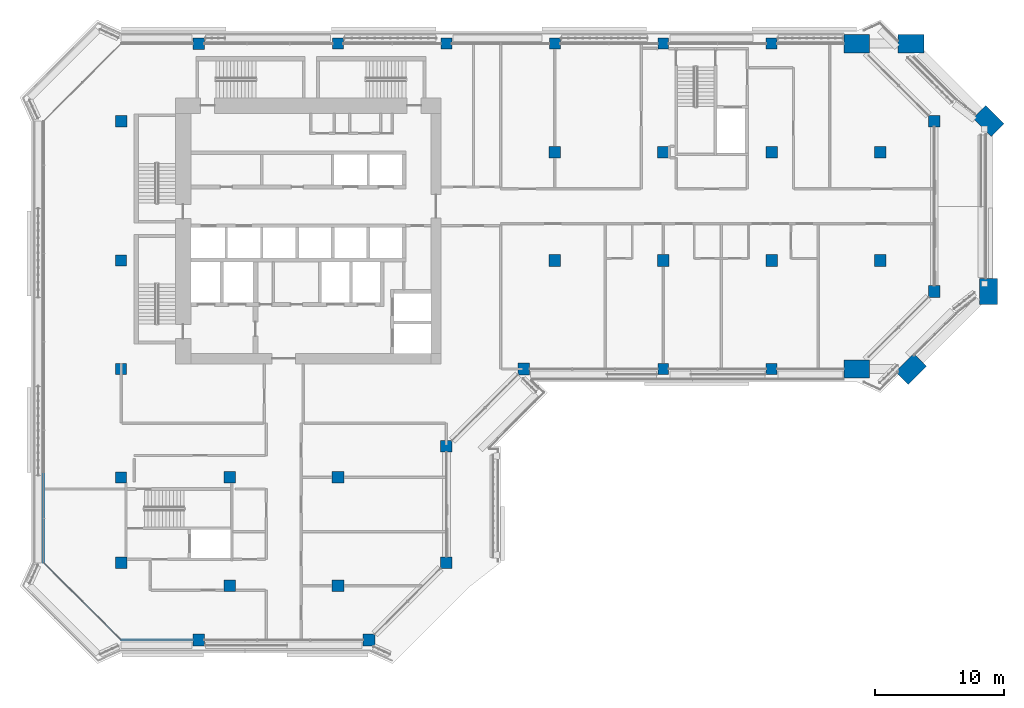
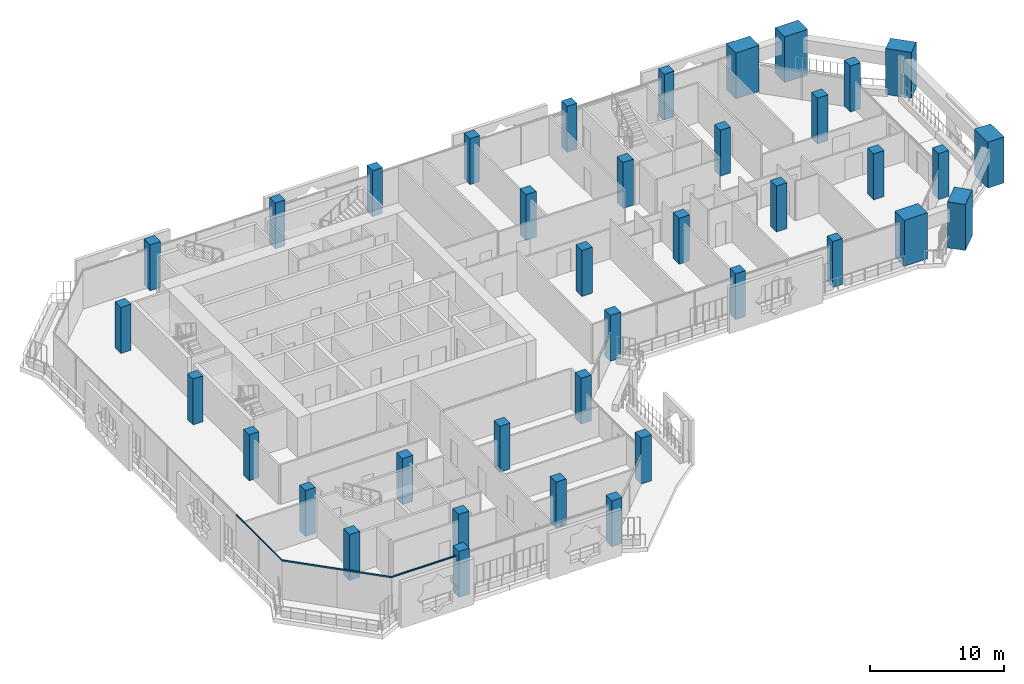
# One storey, part 1 of 21: 38 columns, 4 members, 3 elements without a shape of their own.
"""IFC4 building model written with IfcOpenShell, lengths in metres."""

from ifc_helpers import new_model, si_unit, direction, frame, origin, origin_2d, place, context, subcontext, project, spatial, rectangle, extrude, material, layer, layer_set, material_profile, profile_set, type_object, element, aggregate, save


model = new_model("IFC4")

# Units and contexts
model_context = context("Model", 3, precision=1e-05, world=origin(), true_north=direction((0.0, 1.0)))
body_context = subcontext(model_context, "Body", "Model", "MODEL_VIEW")
ifc_project = project(units=[si_unit("LENGTHUNIT", "METRE"), si_unit("AREAUNIT", "SQUARE_METRE"), si_unit("VOLUMEUNIT", "CUBIC_METRE"), si_unit("PLANEANGLEUNIT", "RADIAN"), si_unit("MASSUNIT", "GRAM", prefix="KILO")], contexts=[model_context])

# Site, building, storey
site_placement = place(None, origin())
site = spatial("IfcSite", under=ifc_project, at=site_placement, CompositionType="ELEMENT")
building_placement = place(site_placement, origin())
building = spatial("IfcBuilding", under=site, at=building_placement, Name="Kawkab Arch Medical Tower", CompositionType="ELEMENT")
storey_placement = place(building_placement, frame((0.0, 0.0, 234.800048828125)))
storey = spatial("IfcBuildingStorey", under=building, at=storey_placement, Name="L54", CompositionType="ELEMENT", Elevation=234.800048828125)

# Columns
ifc_material_1 = material(Name="Concrete C45/55", Category="concrete")
ifc_material_profile_1 = material_profile(ifc_material_1, rectangle(XDim=2.0, YDim=1.39990234375, at=origin_2d()), Name="RC 2000x1400")
ifc_profile_set_1 = profile_set([ifc_material_profile_1], Name="Concrete C45/55")
column_type_1 = type_object("IfcColumnType", Name="RC 2000x1400 column C45/55", PredefinedType="COLUMN", material=ifc_profile_set_1)
for number, where, z_axis, x_axis, name in (
    (1, (57.0, 0.0, 0.0), (0.0, 0.0, 1.0), (1.0, 0.0, 0.0), "Column RC 2000x1400"),
    (2, (57.0, -25.199951171875, 0.0), (0.0, 0.0, 1.0), (-1.0, 0.0, 0.0), "Column RC 2000x1400"),
    (3, (61.199951171875, 0.0, 0.0), (0.0, 0.0, 1.0), (1.0, 0.0, 0.0), "Column RC 2000x1400"),
    (4, (67.199951171875, -6.0, 0.0), (0.0, 0.0, 1.0), (0.707106781187, -0.707106781187, 0.0), "Column RC 2000x1400"),
    (5, (67.199951171875, -19.199951171875, 0.0), (0.0, 0.0, 1.0), (0.0, -1.0, 0.0), "Column RC 2000x1400"),
    (6, (61.199951171875, -25.199951171875, 0.0), (0.0, 0.0, 1.0), (-0.707106781187, -0.707106781187, 0.0), "Column RC 2000x1400"),
):
    element("IfcColumn", number, at=place(storey_placement, frame(where, z_axis=z_axis, x_axis=x_axis)), inside=storey, type_object=column_type_1, Name=name, PredefinedType="COLUMN", context=body_context, shape_type="SweptSolid", body=[
        extrude(rectangle(XDim=2.0, YDim=1.39990234375, at=origin_2d()), origin(), (0.0, 0.0, 1.0), 4.199951171875),
    ])
ifc_material_2 = material(Name="Concrete C45/55", Category="concrete")
ifc_material_profile_2 = material_profile(ifc_material_2, rectangle(XDim=0.85009765625, YDim=0.85009765625, at=origin_2d()), Name="RC 850x850")
ifc_profile_set_2 = profile_set([ifc_material_profile_2], Name="Concrete C45/55")
column_type_2 = type_object("IfcColumnType", Name="RC 850x850 column C45/55", PredefinedType="COLUMN", material=ifc_profile_set_2)
for number, where, z_axis, x_axis, name in (
    (7, (16.800048828125, 0.0, 0.0), (0.0, 0.0, 1.0), (1.0, 0.0, 0.0), "Column RC 850x850"),
    (8, (25.199951171875, 0.0, 0.0), (0.0, 0.0, 1.0), (1.0, 0.0, 0.0), "Column RC 850x850"),
    (9, (33.60009765625, 0.0, 0.0), (0.0, 0.0, 1.0), (1.0, 0.0, 0.0), "Column RC 850x850"),
    (10, (42.0, 0.0, 0.0), (0.0, 0.0, 1.0), (1.0, 0.0, 0.0), "Column RC 850x850"),
    (11, (50.39990234375, 0.0, 0.0), (0.0, 0.0, 1.0), (1.0, 0.0, 0.0), "Column RC 850x850"),
    (12, (0.0, -16.800048828125, 0.0), (0.0, 0.0, 1.0), (1.0, 0.0, 0.0), "Column RC 850x850"),
    (13, (0.0, -25.199951171875, 0.0), (0.0, 0.0, 1.0), (1.0, 0.0, 0.0), "Column RC 850x850"),
    (14, (42.0, -25.199951171875, 0.0), (0.0, 0.0, 1.0), (1.0, 0.0, 0.0), "Column RC 850x850"),
    (15, (50.39990234375, -25.199951171875, 0.0), (0.0, 0.0, 1.0), (1.0, 0.0, 0.0), "Column RC 850x850"),
    (16, (0.0, -33.60009765625, 0.0), (0.0, 0.0, 1.0), (1.0, 0.0, 0.0), "Column RC 850x850"),
):
    element("IfcColumn", number, at=place(storey_placement, frame(where, z_axis=z_axis, x_axis=x_axis)), inside=storey, type_object=column_type_2, Name=name, PredefinedType="COLUMN", context=body_context, shape_type="SweptSolid", body=[
        extrude(rectangle(XDim=0.85009765625, YDim=0.85009765625, at=origin_2d()), origin(), (0.0, 0.0, 1.0), 4.199951171875),
    ])
ifc_material_3 = material(Name="Concrete C45/55", Category="concrete")
ifc_material_profile_3 = material_profile(ifc_material_3, rectangle(XDim=0.89990234375, YDim=0.89990234375, at=origin_2d()), Name="RC 900x900")
ifc_profile_set_3 = profile_set([ifc_material_profile_3], Name="Concrete C45/55")
column_type_3 = type_object("IfcColumnType", Name="RC 900x900 column C45/55", PredefinedType="COLUMN", material=ifc_profile_set_3)
for number, where, z_axis, x_axis, name in (
    (17, (6.0, 0.0, 0.0), (0.0, 0.0, 1.0), (1.0, 0.0, 0.0), "Column RC 900x900"),
    (18, (0.0, -6.0, 0.0), (0.0, 0.0, 1.0), (1.0, 0.0, 0.0), "Column RC 900x900"),
    (19, (63.0, -6.0, 0.0), (0.0, 0.0, 1.0), (1.0, 0.0, 0.0), "Column RC 900x900"),
    (20, (33.60009765625, -8.39990234375, 0.0), (0.0, 0.0, 1.0), (1.0, 0.0, 0.0), "Column RC 900x900"),
    (21, (42.0, -8.39990234375, 0.0), (0.0, 0.0, 1.0), (1.0, 0.0, 0.0), "Column RC 900x900"),
    (22, (50.39990234375, -8.39990234375, 0.0), (0.0, 0.0, 1.0), (1.0, 0.0, 0.0), "Column RC 900x900"),
    (23, (58.800048828125, -8.39990234375, 0.0), (0.0, 0.0, 1.0), (1.0, 0.0, 0.0), "Column RC 900x900"),
    (24, (33.60009765625, -16.800048828125, 0.0), (0.0, 0.0, 1.0), (1.0, 0.0, 0.0), "Column RC 900x900"),
    (25, (42.0, -16.800048828125, 0.0), (0.0, 0.0, 1.0), (1.0, 0.0, 0.0), "Column RC 900x900"),
    (26, (50.39990234375, -16.800048828125, 0.0), (0.0, 0.0, 1.0), (1.0, 0.0, 0.0), "Column RC 900x900"),
    (27, (58.800048828125, -16.800048828125, 0.0), (0.0, 0.0, 1.0), (1.0, 0.0, 0.0), "Column RC 900x900"),
    (28, (63.0, -19.199951171875, 0.0), (0.0, 0.0, 1.0), (1.0, 0.0, 0.0), "Column RC 900x900"),
    (29, (31.199951171875, -25.199951171875, 0.0), (0.0, 0.0, 1.0), (1.0, 0.0, 0.0), "Column RC 900x900"),
    (30, (25.199951171875, -31.199951171875, 0.0), (0.0, 0.0, 1.0), (1.0, 0.0, 0.0), "Column RC 900x900"),
    (31, (8.39990234375, -33.60009765625, 0.0), (0.0, 0.0, 1.0), (1.0, 0.0, 0.0), "Column RC 900x900"),
    (32, (16.800048828125, -33.60009765625, 0.0), (0.0, 0.0, 1.0), (1.0, 0.0, 0.0), "Column RC 900x900"),
    (33, (0.0, -40.199951171875, 0.0), (0.0, 0.0, 1.0), (1.0, 0.0, 0.0), "Column RC 900x900"),
    (34, (25.199951171875, -40.199951171875, 0.0), (0.0, 0.0, 1.0), (1.0, 0.0, 0.0), "Column RC 900x900"),
    (35, (8.39990234375, -42.0, 0.0), (0.0, 0.0, 1.0), (1.0, 0.0, 0.0), "Column RC 900x900"),
    (36, (16.800048828125, -42.0, 0.0), (0.0, 0.0, 1.0), (1.0, 0.0, 0.0), "Column RC 900x900"),
    (37, (6.0, -46.199951171875, 0.0), (0.0, 0.0, 1.0), (1.0, 0.0, 0.0), "Column RC 900x900"),
    (38, (19.199951171875, -46.199951171875, 0.0), (0.0, 0.0, 1.0), (1.0, 0.0, 0.0), "Column RC 900x900"),
):
    element("IfcColumn", number, at=place(storey_placement, frame(where, z_axis=z_axis, x_axis=x_axis)), inside=storey, type_object=column_type_3, Name=name, PredefinedType="COLUMN", context=body_context, shape_type="SweptSolid", body=[
        extrude(rectangle(XDim=0.89990234375, YDim=0.89990234375, at=origin_2d()), origin(), (0.0, 0.0, 1.0), 4.199951171875),
    ])

# Curtain wall, member
ifc_material_4 = material(Name="Bronze anodised aluminium curtain wall frame", Category="aluminium")
ifc_layer_1 = layer(ifc_material_4, 0.159912109375)
ifc_layer_set_1 = layer_set([ifc_layer_1], Name="Bronze anodised aluminium curtain wall frame")
curtain_wall_type_1 = type_object("IfcCurtainWallType", Name="CW1 ward curtain wall", PredefinedType="NOTDEFINED", material=ifc_layer_set_1)
placement = place(storey_placement, origin())
curtain_wall_1 = element("IfcCurtainWall", 39, at=placement, inside=storey, type_object=curtain_wall_type_1, Name="CW1 Ward curtain wall R01", PredefinedType="NOTDEFINED")
ifc_material_5 = material(Name="Bronze anodised aluminium curtain wall frame", Category="aluminium")
ifc_material_profile_4 = material_profile(ifc_material_5, rectangle(XDim=0.06005859375, YDim=0.1201171875, at=origin_2d()), Name="AL 60x120")
ifc_profile_set_4 = profile_set([ifc_material_profile_4], Name="Bronze anodised aluminium curtain wall frame")
member_type_1 = type_object("IfcMemberType", Name="CW1 transom 120 x 60", PredefinedType="USERDEFINED", material=ifc_profile_set_4)
member_1_placement = place(storey_placement, frame((-6.0, -33.360107421875, 3.5400390625), z_axis=(0.0, -1.0, 0.0), x_axis=(1.0, 0.0, 0.0)))
member_1 = element("IfcMember", 40, at=member_1_placement, type_object=member_type_1, Name="CW1 transom 5", ObjectType="TRANSOM", PredefinedType="USERDEFINED", context=body_context, shape_type="SweptSolid", body=[
    extrude(rectangle(XDim=0.06005859375, YDim=0.1201171875, at=origin_2d()), origin(), (0.0, 0.0, 1.0), 6.83984375),
])
aggregate(curtain_wall_1, [member_1])

curtain_wall_2 = element("IfcCurtainWall", 41, at=placement, inside=storey, type_object=curtain_wall_type_1, Name="CW1 Ward curtain wall R03", PredefinedType="NOTDEFINED")
member_2_placement = place(storey_placement, frame((0.0, -46.199951171875, 3.5400390625), z_axis=(1.0, 0.0, 0.0), x_axis=(0.0, 1.0, 0.0)))
member_2 = element("IfcMember", 42, at=member_2_placement, type_object=member_type_1, Name="CW1 transom 1", ObjectType="TRANSOM", PredefinedType="USERDEFINED", context=body_context, shape_type="SweptSolid", body=[
    extrude(rectangle(XDim=0.06005859375, YDim=0.1201171875, at=origin_2d()), origin(), (0.0, 0.0, 1.0), 5.550048828125),
])
aggregate(curtain_wall_2, [member_2])

# Curtain wall, members
ifc_material_6 = material(Name="Bronze anodised aluminium curtain wall frame", Category="aluminium")
ifc_layer_2 = layer(ifc_material_6, 0.159912109375)
ifc_layer_set_2 = layer_set([ifc_layer_2], Name="Bronze anodised aluminium curtain wall frame")
curtain_wall_type_2 = type_object("IfcCurtainWallType", Name="CW2 chamfer curtain wall", PredefinedType="NOTDEFINED", material=ifc_layer_set_2)
curtain_wall_3 = element("IfcCurtainWall", 43, at=placement, inside=storey, type_object=curtain_wall_type_2, Name="CW2 Chamfer curtain wall R02", PredefinedType="NOTDEFINED")
ifc_material_7 = material(Name="Bronze anodised aluminium curtain wall frame", Category="aluminium")
ifc_material_profile_5 = material_profile(ifc_material_7, rectangle(XDim=0.06005859375, YDim=0.139892578125, at=origin_2d()), Name="AL 60x140")
ifc_profile_set_5 = profile_set([ifc_material_profile_5], Name="Bronze anodised aluminium curtain wall frame")
member_type_2 = type_object("IfcMemberType", Name="CW2 transom 140 x 60", PredefinedType="USERDEFINED", material=ifc_profile_set_5)
member_3_placement = place(storey_placement, frame((-6.0, -40.199951171875, 3.530029296875), z_axis=(0.707106781187, -0.707106781187, 0.0), x_axis=(0.707106781187, 0.707106781187, 0.0)))
member_3 = element("IfcMember", 44, at=member_3_placement, type_object=member_type_2, Name="CW2 transom 1", ObjectType="TRANSOM", PredefinedType="USERDEFINED", context=body_context, shape_type="SweptSolid", body=[
    extrude(rectangle(XDim=0.06005859375, YDim=0.139892578125, at=origin_2d()), origin(), (0.0, 0.0, 1.0), 4.24267578125),
])
member_4_placement = place(storey_placement, frame((-3.0, -43.199951171875, 3.530029296875), z_axis=(0.707106781187, -0.707106781187, 0.0), x_axis=(0.707106781187, 0.707106781187, 0.0)))
member_4 = element("IfcMember", 45, at=member_4_placement, type_object=member_type_2, Name="CW2 transom 2", ObjectType="TRANSOM", PredefinedType="USERDEFINED", context=body_context, shape_type="SweptSolid", body=[
    extrude(rectangle(XDim=0.06005859375, YDim=0.139892578125, at=origin_2d()), origin(), (0.0, 0.0, 1.0), 4.24267578125),
])
aggregate(curtain_wall_3, [member_3, member_4])

save(model, "model.ifc")
